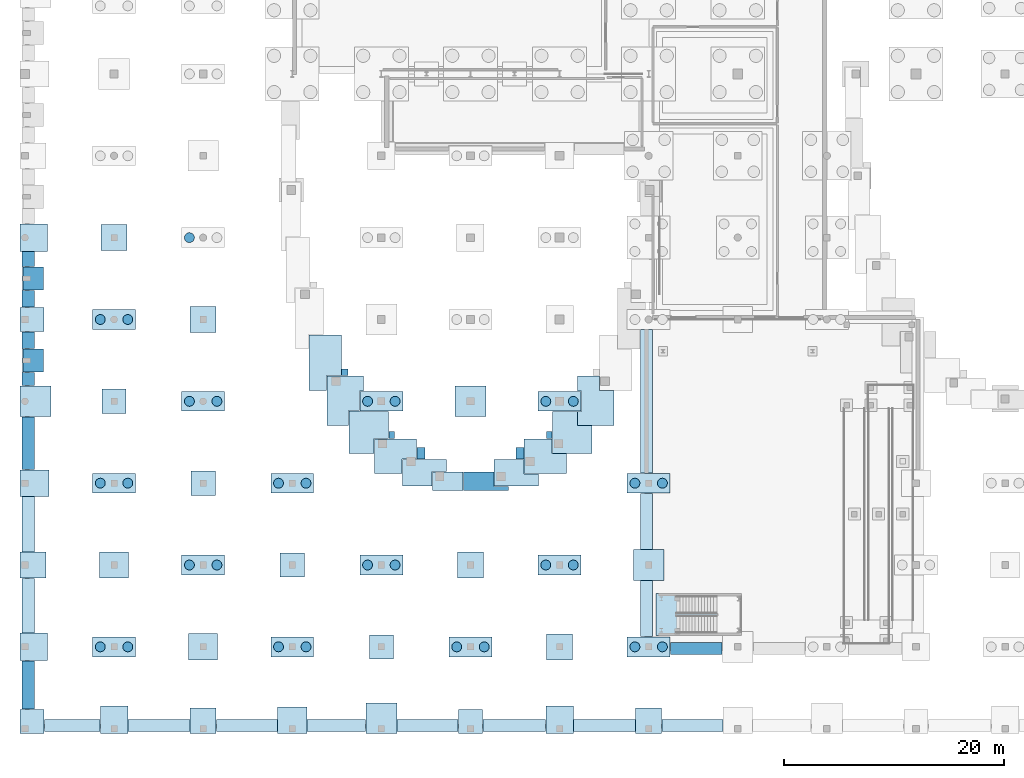
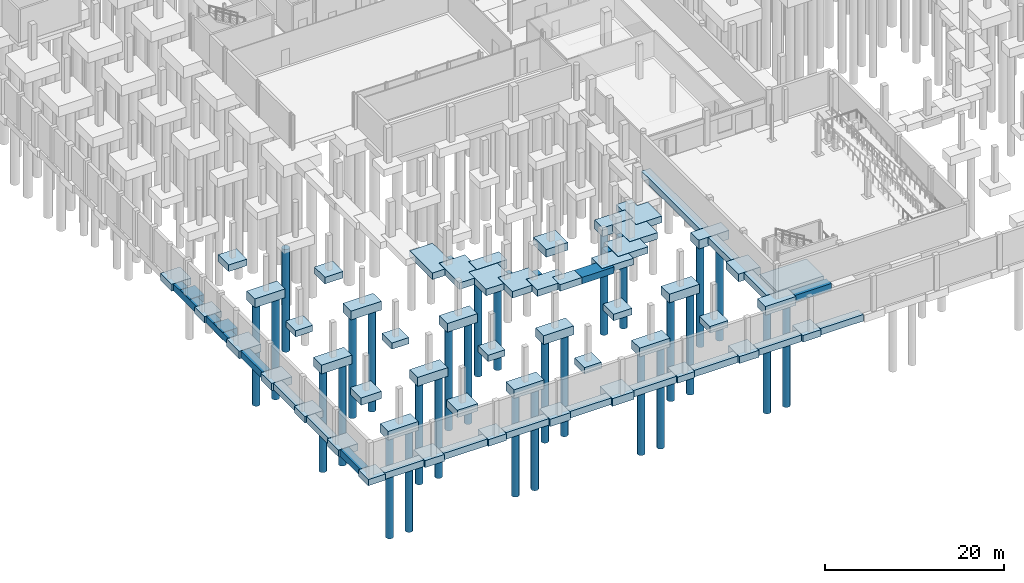
# One storey, part 1 of 37: 77 footings, 29 piles.
"""IFC4 building model written with IfcOpenShell, lengths in metres."""

from ifc_helpers import new_model, si_unit, direction, frame, origin, origin_2d, place, context, subcontext, project, spatial, polyline, rectangle, circle, outline, extrude, material, material_profile, profile_set, type_object, element, save


model = new_model("IFC4")

# Units and contexts
model_context = context("Model", 3, precision=1e-05, world=origin(), true_north=direction((0.0, 1.0)))
body_context = subcontext(model_context, "Body", "Model", "MODEL_VIEW")
ifc_project = project(units=[si_unit("LENGTHUNIT", "METRE"), si_unit("AREAUNIT", "SQUARE_METRE"), si_unit("VOLUMEUNIT", "CUBIC_METRE"), si_unit("PLANEANGLEUNIT", "RADIAN"), si_unit("MASSUNIT", "GRAM", prefix="KILO")], contexts=[model_context])

# Site, building, storey
site_placement = place(None, origin())
site = spatial("IfcSite", under=ifc_project, at=site_placement, CompositionType="ELEMENT")
building_placement = place(site_placement, origin())
building = spatial("IfcBuilding", under=site, at=building_placement, Name="Kaelora Sail Theatre", CompositionType="ELEMENT")
storey_placement = place(building_placement, frame((0.0, 0.0, -4.800048828125)))
storey = spatial("IfcBuildingStorey", under=building, at=storey_placement, Name="B1", CompositionType="ELEMENT", Elevation=-4.800048828125)

# Footings
ifc_material_1 = material(Name="Concrete C40/50", Category="concrete")
footing_type_1 = type_object("IfcFootingType", Name="STR-FTG-PC-2P", PredefinedType="PILE_CAP", material=ifc_material_1)
for number, where, z_axis, x_axis, name in (
    (1, (9.60009765625, 8.93994140625, -1.19970703125), (0.0, 0.0, 1.0), (1.0, 0.0, 0.0), "Foundation 2/B"),
    (2, (9.60009765625, 23.820068359375, -1.19970703125), (0.0, 0.0, 1.0), (1.0, 0.0, 0.0), "Foundation 2/D"),
    (3, (9.60009765625, 38.699951171875, -1.19970703125), (0.0, 0.0, 1.0), (1.0, 0.0, 0.0), "Foundation 2/F"),
    (4, (17.699951171875, 16.3798828125, -1.19970703125), (0.0, 0.0, 1.0), (1.0, 0.0, 0.0), "Foundation 3/C"),
    (5, (17.699951171875, 31.260009765625, -1.19970703125), (0.0, 0.0, 1.0), (1.0, 0.0, 0.0), "Foundation 3/E"),
    (6, (25.800048828125, 8.93994140625, -1.19970703125), (0.0, 0.0, 1.0), (1.0, 0.0, 0.0), "Foundation 4/B"),
    (7, (25.800048828125, 23.820068359375, -1.19970703125), (0.0, 0.0, 1.0), (1.0, 0.0, 0.0), "Foundation 4/D"),
    (8, (33.89990234375, 16.3798828125, -1.19970703125), (0.0, 0.0, 1.0), (1.0, 0.0, 0.0), "Foundation 5/C"),
    (9, (33.89990234375, 31.260009765625, -1.19970703125), (0.0, 0.0, 1.0), (1.0, 0.0, 0.0), "Foundation 5/E"),
    (10, (42.0, 8.93994140625, -1.19970703125), (0.0, 0.0, 1.0), (1.0, 0.0, 0.0), "Foundation 6/B"),
    (11, (50.10009765625, 16.3798828125, -1.19970703125), (0.0, 0.0, 1.0), (1.0, 0.0, 0.0), "Foundation 7/C"),
    (12, (50.10009765625, 31.260009765625, -1.19970703125), (0.0, 0.0, 1.0), (1.0, 0.0, 0.0), "Foundation 7/E"),
    (13, (58.199951171875, 8.93994140625, -1.19970703125), (0.0, 0.0, 1.0), (1.0, 0.0, 0.0), "Foundation 8/B"),
    (14, (58.199951171875, 23.820068359375, -1.19970703125), (0.0, 0.0, 1.0), (1.0, 0.0, 0.0), "Foundation 8/D"),
):
    element("IfcFooting", number, at=place(storey_placement, frame(where, z_axis=z_axis, x_axis=x_axis)), inside=storey, type_object=footing_type_1, Name=name, PredefinedType="PILE_CAP", context=body_context, shape_type="SweptSolid", body=[
        extrude(rectangle(XDim=3.89990234375, YDim=1.800048828125, at=origin_2d()), origin(), (0.0, 0.0, 1.0), 1.199951171875),
    ])
ifc_material_2 = material(Name="Concrete C40/50", Category="concrete")
footing_type_2 = type_object("IfcFootingType", Name="STR-FTG-PF-1A", PredefinedType="PAD_FOOTING", material=ifc_material_2)
for number, where, z_axis, x_axis, name in (
    (15, (2.14990234375, 2.14990234375, -0.85009765625), (0.0, 0.0, 1.0), (1.0, 0.0, 0.0), "Foundation 1/A"),
    (16, (2.14990234375, 38.699951171875, -0.85009765625), (0.0, 0.0, 1.0), (1.0, 0.0, 0.0), "Foundation 1/F"),
    (17, (9.60009765625, 31.260009765625, -0.85009765625), (0.0, 0.0, 1.0), (1.0, 0.0, 0.0), "Foundation 2/E"),
    (18, (17.699951171875, 23.820068359375, -0.85009765625), (0.0, 0.0, 1.0), (1.0, 0.0, 0.0), "Foundation 3/D"),
    (19, (25.800048828125, 16.3798828125, -0.85009765625), (0.0, 0.0, 1.0), (1.0, 0.0, 0.0), "Foundation 4/C"),
    (20, (33.89990234375, 8.93994140625, -0.85009765625), (0.0, 0.0, 1.0), (1.0, 0.0, 0.0), "Foundation 5/B"),
    (21, (42.0, 2.14990234375, -0.85009765625), (0.0, 0.0, 1.0), (1.0, 0.0, 0.0), "Foundation 6/A"),
):
    element("IfcFooting", number, at=place(storey_placement, frame(where, z_axis=z_axis, x_axis=x_axis)), inside=storey, type_object=footing_type_2, Name=name, PredefinedType="PAD_FOOTING", context=body_context, shape_type="SweptSolid", body=[
        extrude(rectangle(XDim=2.199951171875, YDim=2.199951171875, at=origin_2d()), origin(), (0.0, 0.0, 1.0), 0.85009765625),
    ])
footing_1_placement = place(storey_placement, frame((0.0, 0.0, -0.849853515625)))
element("IfcFooting", 22, at=footing_1_placement, inside=storey, type_object=footing_type_2, Name="Main drum pier pad MK08", PredefinedType="PAD_FOOTING", context=body_context, shape_type="SweptSolid", body=[
    extrude(outline(polyline([(49.41015625, 28.503173828125), (49.41015625, 27.86181640625), (48.8974609375, 27.86181640625), (48.8974609375, 28.503173828125), (49.41015625, 28.503173828125)])), origin(), (0.0, 0.0, 1.0), 0.849853515625),
])
footing_2_placement = place(storey_placement, frame((0.0, 0.0, -0.849853515625)))
element("IfcFooting", 23, at=footing_2_placement, inside=storey, type_object=footing_type_2, Name="Main drum pier pad MK14", PredefinedType="PAD_FOOTING", context=body_context, shape_type="SweptSolid", body=[
    extrude(outline(polyline([(35.1025390625, 27.86181640625), (34.58984375, 27.86181640625), (34.58984375, 28.503173828125), (35.1025390625, 28.503173828125), (35.1025390625, 27.86181640625)])), origin(), (0.0, 0.0, 1.0), 0.849853515625),
])
footing_3_placement = place(storey_placement, frame((0.0, 0.0, -0.849853515625)))
element("IfcFooting", 24, at=footing_3_placement, inside=storey, type_object=footing_type_2, Name="Main drum pier pad MK16", PredefinedType="PAD_FOOTING", context=body_context, shape_type="SweptSolid", body=[
    extrude(outline(polyline([(30.28955078125, 34.18359375), (30.871337890625, 34.18359375), (30.871337890625, 33.586181640625), (30.28955078125, 33.586181640625), (30.28955078125, 34.18359375)])), origin(), (0.0, 0.0, 1.0), 0.849853515625),
])
ifc_material_3 = material(Name="Concrete C40/50", Category="concrete")
footing_type_3 = type_object("IfcFootingType", Name="STR-FTG-PF-1B", PredefinedType="PAD_FOOTING", material=ifc_material_3)
for number, where, z_axis, x_axis, name in (
    (25, (2.300048828125, 8.93994140625, -0.94970703125), (0.0, 0.0, 1.0), (1.0, 0.0, 0.0), "Foundation 1/B"),
    (26, (2.300048828125, 46.139892578125, -0.94970703125), (0.0, 0.0, 1.0), (1.0, 0.0, 0.0), "Foundation 1/G"),
    (27, (9.60009765625, 2.300048828125, -0.94970703125), (0.0, 0.0, 1.0), (1.0, 0.0, 0.0), "Foundation 2/A"),
    (28, (50.10009765625, 2.300048828125, -0.94970703125), (0.0, 0.0, 1.0), (1.0, 0.0, 0.0), "Foundation 7/A"),
):
    element("IfcFooting", number, at=place(storey_placement, frame(where, z_axis=z_axis, x_axis=x_axis)), inside=storey, type_object=footing_type_3, Name=name, PredefinedType="PAD_FOOTING", context=body_context, shape_type="SweptSolid", body=[
        extrude(rectangle(XDim=2.5, YDim=2.5, at=origin_2d()), origin(), (0.0, 0.0, 1.0), 0.949951171875),
    ])
footing_4_placement = place(storey_placement, frame((0.0, 0.0, -0.949951171875)))
element("IfcFooting", 29, at=footing_4_placement, inside=storey, type_object=footing_type_3, Name="Main shell prow fulcrum pad W", PredefinedType="PAD_FOOTING", context=body_context, shape_type="SweptSolid", body=[
    extrude(outline(polyline([(37.142822265625, 26.0068359375), (37.142822265625, 27.050048828125), (37.85009765625, 27.050048828125), (37.85009765625, 26.0068359375), (37.142822265625, 26.0068359375)])), origin(), (0.0, 0.0, 1.0), 0.949951171875),
])
footing_5_placement = place(storey_placement, frame((0.0, 0.0, -0.949951171875)))
element("IfcFooting", 30, at=footing_5_placement, inside=storey, type_object=footing_type_3, Name="Main shell prow fulcrum pad E", PredefinedType="PAD_FOOTING", context=body_context, shape_type="SweptSolid", body=[
    extrude(outline(polyline([(46.14990234375, 27.050048828125), (46.857177734375, 27.050048828125), (46.857177734375, 26.0068359375), (46.14990234375, 26.0068359375), (46.14990234375, 27.050048828125)])), origin(), (0.0, 0.0, 1.0), 0.949951171875),
])
ifc_material_4 = material(Name="Concrete C40/50", Category="concrete")
footing_type_4 = type_object("IfcFootingType", Name="STR-FTG-PF-1C", PredefinedType="PAD_FOOTING", material=ifc_material_4)
for number, where, z_axis, x_axis, name in (
    (31, (2.25, 34.97998046875, -1.0), (0.0, 0.0, 1.0), (1.0, 0.0, 0.0), "W colonnade pilaster footing 04"),
    (32, (2.25, 42.419921875, -1.0), (0.0, 0.0, 1.0), (1.0, 0.0, 0.0), "W colonnade pilaster footing 05"),
):
    element("IfcFooting", number, at=place(storey_placement, frame(where, z_axis=z_axis, x_axis=x_axis)), inside=storey, type_object=footing_type_4, Name=name, PredefinedType="PAD_FOOTING", context=body_context, shape_type="SweptSolid", body=[
        extrude(rectangle(XDim=1.89990234375, YDim=2.10009765625, at=origin_2d()), origin(), (0.0, 0.0, 1.0), 1.0),
    ])
ifc_material_5 = material(Name="Concrete C40/50", Category="concrete")
footing_type_5 = type_object("IfcFootingType", Name="STR-FTG-PF-1D", PredefinedType="PAD_FOOTING", material=ifc_material_5)
for number, where, z_axis, x_axis, name in (
    (33, (2.22509765625, 16.3798828125, -0.89990234375), (0.0, 0.0, 1.0), (1.0, 0.0, 0.0), "Foundation 1/C"),
    (34, (9.60009765625, 46.139892578125, -0.89990234375), (0.0, 0.0, 1.0), (1.0, 0.0, 0.0), "Foundation 2/G"),
    (35, (17.699951171875, 2.22509765625, -0.89990234375), (0.0, 0.0, 1.0), (1.0, 0.0, 0.0), "Foundation 3/A"),
    (36, (17.699951171875, 38.699951171875, -0.89990234375), (0.0, 0.0, 1.0), (1.0, 0.0, 0.0), "Foundation 3/F"),
    (37, (42.0, 16.3798828125, -0.89990234375), (0.0, 0.0, 1.0), (1.0, 0.0, 0.0), "Foundation 6/C"),
    (38, (50.10009765625, 8.93994140625, -0.89990234375), (0.0, 0.0, 1.0), (1.0, 0.0, 0.0), "Foundation 7/B"),
    (39, (58.199951171875, 2.22509765625, -0.89990234375), (0.0, 0.0, 1.0), (1.0, 0.0, 0.0), "Foundation 8/A"),
):
    element("IfcFooting", number, at=place(storey_placement, frame(where, z_axis=z_axis, x_axis=x_axis)), inside=storey, type_object=footing_type_5, Name=name, PredefinedType="PAD_FOOTING", context=body_context, shape_type="SweptSolid", body=[
        extrude(rectangle(XDim=2.35009765625, YDim=2.35009765625, at=origin_2d()), origin(), (0.0, 0.0, 1.0), 0.89990234375),
    ])
ifc_material_6 = material(Name="Concrete C40/50", Category="concrete")
footing_type_6 = type_object("IfcFootingType", Name="STR-FTG-PF-1E", PredefinedType="PAD_FOOTING", material=ifc_material_6)
for number, where, z_axis, x_axis, name in (
    (40, (2.375, 23.820068359375, -1.0), (0.0, 0.0, 1.0), (1.0, 0.0, 0.0), "Foundation 1/D"),
    (41, (9.60009765625, 16.3798828125, -1.0), (0.0, 0.0, 1.0), (1.0, 0.0, 0.0), "Foundation 2/C"),
    (42, (17.699951171875, 8.93994140625, -1.0), (0.0, 0.0, 1.0), (1.0, 0.0, 0.0), "Foundation 3/B"),
    (43, (25.800048828125, 2.25, -1.0), (0.0, 0.0, 1.0), (1.0, 0.0, 0.0), "Foundation 4/A"),
):
    element("IfcFooting", number, at=place(storey_placement, frame(where, z_axis=z_axis, x_axis=x_axis)), inside=storey, type_object=footing_type_6, Name=name, PredefinedType="PAD_FOOTING", context=body_context, shape_type="SweptSolid", body=[
        extrude(rectangle(XDim=2.64990234375, YDim=2.39990234375, at=origin_2d()), origin(), (0.0, 0.0, 1.0), 1.0),
    ])
ifc_material_7 = material(Name="Concrete C40/50", Category="concrete")
footing_type_7 = type_object("IfcFootingType", Name="STR-FTG-PF-1F", PredefinedType="PAD_FOOTING", material=ifc_material_7)
for number, where, z_axis, x_axis, name in (
    (44, (2.449951171875, 31.260009765625, -1.0498046875), (0.0, 0.0, 1.0), (1.0, 0.0, 0.0), "Foundation 1/E"),
    (45, (33.89990234375, 2.449951171875, -1.0498046875), (0.0, 0.0, 1.0), (1.0, 0.0, 0.0), "Foundation 5/A"),
    (46, (42.0, 31.260009765625, -1.0498046875), (0.0, 0.0, 1.0), (1.0, 0.0, 0.0), "Foundation 6/E"),
    (47, (58.199951171875, 16.3798828125, -1.0498046875), (0.0, 0.0, 1.0), (1.0, 0.0, 0.0), "Foundation 8/C"),
):
    element("IfcFooting", number, at=place(storey_placement, frame(where, z_axis=z_axis, x_axis=x_axis)), inside=storey, type_object=footing_type_7, Name=name, PredefinedType="PAD_FOOTING", context=body_context, shape_type="SweptSolid", body=[
        extrude(rectangle(XDim=2.800048828125, YDim=2.800048828125, at=origin_2d()), origin(), (0.0, 0.0, 1.0), 1.050048828125),
    ])
ifc_material_8 = material(Name="Concrete C40/50", Category="concrete")
footing_type_8 = type_object("IfcFootingType", Name="STR-FTG-PF-CORE1", PredefinedType="PAD_FOOTING", material=ifc_material_8)
footing_6_placement = place(storey_placement, frame((0.0, 0.0, -1.099853515625)))
element("IfcFooting", 48, at=footing_6_placement, inside=storey, type_object=footing_type_8, Name="Stair core foundation pad ST-PLZ", PredefinedType="PAD_FOOTING", context=body_context, shape_type="SweptSolid", body=[
    extrude(outline(polyline([(58.85009765625, 9.949951171875), (64.8701171875, 9.949951171875), (64.8701171875, 13.800048828125), (58.85009765625, 13.800048828125), (58.85009765625, 9.949951171875)])), origin(), (0.0, 0.0, 1.0), 1.099853515625),
])
ifc_material_9 = material(Name="Concrete C40/50", Category="concrete")
footing_type_9 = type_object("IfcFootingType", Name="STR-GB-SF-DRM", PredefinedType="STRIP_FOOTING", material=ifc_material_9)
footing_7_placement = place(storey_placement, frame((0.0, 0.0, -0.89990234375)))
element("IfcFooting", 49, at=footing_7_placement, inside=storey, type_object=footing_type_9, Name="Perimeter plinth strip footing SF-PL-SW", PredefinedType="STRIP_FOOTING", context=body_context, shape_type="SweptSolid", body=[
    extrude(outline(polyline([(8.320068359375, 1.25), (3.280029296875, 1.25), (3.280029296875, 2.35009765625), (8.320068359375, 2.35009765625), (8.320068359375, 1.25)])), origin(), (0.0, 0.0, 1.0), 0.89990234375),
])
footing_8_placement = place(storey_placement, frame((0.0, 0.0, -0.89990234375)))
element("IfcFooting", 50, at=footing_8_placement, inside=storey, type_object=footing_type_9, Name="Perimeter plinth strip footing SF-PL-SW", PredefinedType="STRIP_FOOTING", context=body_context, shape_type="SweptSolid", body=[
    extrude(outline(polyline([(16.4951171875, 1.25), (10.8798828125, 1.25), (10.8798828125, 2.35009765625), (16.4951171875, 2.35009765625), (16.4951171875, 1.25)])), origin(), (0.0, 0.0, 1.0), 0.89990234375),
])
footing_9_placement = place(storey_placement, frame((0.0, 0.0, -0.89990234375)))
element("IfcFooting", 51, at=footing_9_placement, inside=storey, type_object=footing_type_9, Name="Perimeter plinth strip footing SF-PL-SW", PredefinedType="STRIP_FOOTING", context=body_context, shape_type="SweptSolid", body=[
    extrude(outline(polyline([(24.445068359375, 1.25), (18.905029296875, 1.25), (18.905029296875, 2.35009765625), (24.445068359375, 2.35009765625), (24.445068359375, 1.25)])), origin(), (0.0, 0.0, 1.0), 0.89990234375),
])
footing_10_placement = place(storey_placement, frame((0.0, 0.0, -0.89990234375)))
element("IfcFooting", 52, at=footing_10_placement, inside=storey, type_object=footing_type_9, Name="Perimeter plinth strip footing SF-PL-SW", PredefinedType="STRIP_FOOTING", context=body_context, shape_type="SweptSolid", body=[
    extrude(outline(polyline([(32.469970703125, 1.25), (27.155029296875, 1.25), (27.155029296875, 2.35009765625), (32.469970703125, 2.35009765625), (32.469970703125, 1.25)])), origin(), (0.0, 0.0, 1.0), 0.89990234375),
])
footing_11_placement = place(storey_placement, frame((0.0, 0.0, -0.89990234375)))
element("IfcFooting", 53, at=footing_11_placement, inside=storey, type_object=footing_type_9, Name="Perimeter plinth strip footing SF-PL-SW", PredefinedType="STRIP_FOOTING", context=body_context, shape_type="SweptSolid", body=[
    extrude(outline(polyline([(56.9951171875, 1.25), (51.3798828125, 1.25), (51.3798828125, 2.35009765625), (56.9951171875, 2.35009765625), (56.9951171875, 1.25)])), origin(), (0.0, 0.0, 1.0), 0.89990234375),
])
footing_12_placement = place(storey_placement, frame((0.0, 0.0, -0.89990234375)))
element("IfcFooting", 54, at=footing_12_placement, inside=storey, type_object=footing_type_9, Name="Perimeter plinth strip footing SF-PL-SW", PredefinedType="STRIP_FOOTING", context=body_context, shape_type="SweptSolid", body=[
    extrude(outline(polyline([(48.820068359375, 1.25), (43.1298828125, 1.25), (43.1298828125, 2.35009765625), (48.820068359375, 2.35009765625), (48.820068359375, 1.25)])), origin(), (0.0, 0.0, 1.0), 0.89990234375),
])
footing_13_placement = place(storey_placement, frame((0.0, 0.0, -0.89990234375)))
element("IfcFooting", 55, at=footing_13_placement, inside=storey, type_object=footing_type_9, Name="Perimeter plinth strip footing SF-PL-SW", PredefinedType="STRIP_FOOTING", context=body_context, shape_type="SweptSolid", body=[
    extrude(outline(polyline([(35.330078125, 1.25), (35.330078125, 2.35009765625), (40.8701171875, 2.35009765625), (40.8701171875, 1.25), (35.330078125, 1.25)])), origin(), (0.0, 0.0, 1.0), 0.89990234375),
])
footing_14_placement = place(storey_placement, frame((0.0, 0.0, -0.89990234375)))
element("IfcFooting", 56, at=footing_14_placement, inside=storey, type_object=footing_type_9, Name="Perimeter plinth strip footing SF-PL-SC", PredefinedType="STRIP_FOOTING", context=body_context, shape_type="SweptSolid", body=[
    extrude(outline(polyline([(59.405029296875, 1.25), (59.405029296875, 2.35009765625), (64.945068359375, 2.35009765625), (64.945068359375, 1.25), (59.405029296875, 1.25)])), origin(), (0.0, 0.0, 1.0), 0.89990234375),
])
footing_15_placement = place(storey_placement, frame((0.0, 0.0, -0.89990234375)))
element("IfcFooting", 57, at=footing_15_placement, inside=storey, type_object=footing_type_9, Name="Perimeter plinth strip footing SF-PL-W", PredefinedType="STRIP_FOOTING", context=body_context, shape_type="SweptSolid", body=[
    extrude(outline(polyline([(2.35009765625, 22.590087890625), (2.35009765625, 17.5849609375), (1.25, 17.5849609375), (1.25, 22.590087890625), (2.35009765625, 22.590087890625)])), origin(), (0.0, 0.0, 1.0), 0.89990234375),
])
footing_16_placement = place(storey_placement, frame((0.0, 0.0, -0.89990234375)))
element("IfcFooting", 58, at=footing_16_placement, inside=storey, type_object=footing_type_9, Name="Perimeter plinth strip footing SF-PL-W", PredefinedType="STRIP_FOOTING", context=body_context, shape_type="SweptSolid", body=[
    extrude(outline(polyline([(2.35009765625, 39.830078125), (1.25, 39.830078125), (1.25, 44.860107421875), (2.35009765625, 44.860107421875), (2.35009765625, 43.5), (1.27001953125, 43.5), (1.27001953125, 41.340087890625), (2.35009765625, 41.340087890625), (2.35009765625, 39.830078125)])), origin(), (0.0, 0.0, 1.0), 0.89990234375),
])
footing_17_placement = place(storey_placement, frame((0.0, 0.0, -0.89990234375)))
element("IfcFooting", 59, at=footing_17_placement, inside=storey, type_object=footing_type_9, Name="Perimeter plinth strip footing SF-PL-W", PredefinedType="STRIP_FOOTING", context=body_context, shape_type="SweptSolid", body=[
    extrude(outline(polyline([(2.35009765625, 32.68994140625), (1.25, 32.68994140625), (1.25, 37.570068359375), (2.35009765625, 37.570068359375), (2.35009765625, 36.06005859375), (1.27001953125, 36.06005859375), (1.27001953125, 33.89990234375), (2.35009765625, 33.89990234375), (2.35009765625, 32.68994140625)])), origin(), (0.0, 0.0, 1.0), 0.89990234375),
])
footing_18_placement = place(storey_placement, frame((0.0, 0.0, -0.89990234375)))
element("IfcFooting", 60, at=footing_18_placement, inside=storey, type_object=footing_type_9, Name="Perimeter plinth strip footing SF-PL-W", PredefinedType="STRIP_FOOTING", context=body_context, shape_type="SweptSolid", body=[
    extrude(outline(polyline([(1.25, 25.050048828125), (1.25, 29.830078125), (2.35009765625, 29.830078125), (2.35009765625, 25.050048828125), (1.25, 25.050048828125)])), origin(), (0.0, 0.0, 1.0), 0.89990234375),
])
footing_19_placement = place(storey_placement, frame((0.0, 0.0, -0.89990234375)))
element("IfcFooting", 61, at=footing_19_placement, inside=storey, type_object=footing_type_9, Name="Perimeter plinth strip footing SF-PL-W", PredefinedType="STRIP_FOOTING", context=body_context, shape_type="SweptSolid", body=[
    extrude(outline(polyline([(2.35009765625, 15.175048828125), (2.35009765625, 10.219970703125), (1.25, 10.219970703125), (1.25, 15.175048828125), (2.35009765625, 15.175048828125)])), origin(), (0.0, 0.0, 1.0), 0.89990234375),
])
footing_20_placement = place(storey_placement, frame((0.0, 0.0, -0.89990234375)))
element("IfcFooting", 62, at=footing_20_placement, inside=storey, type_object=footing_type_9, Name="Perimeter plinth strip footing SF-PL-W", PredefinedType="STRIP_FOOTING", context=body_context, shape_type="SweptSolid", body=[
    extrude(outline(polyline([(2.35009765625, 3.280029296875), (1.25, 3.280029296875), (1.25, 7.659912109375), (2.35009765625, 7.659912109375), (2.35009765625, 3.280029296875)])), origin(), (0.0, 0.0, 1.0), 0.89990234375),
])
footing_21_placement = place(storey_placement, frame((0.0, 0.0, -0.89990234375)))
element("IfcFooting", 63, at=footing_21_placement, inside=storey, type_object=footing_type_9, Name="Perimeter plinth strip footing SF-CT-W", PredefinedType="STRIP_FOOTING", context=body_context, shape_type="SweptSolid", body=[
    extrude(outline(polyline([(57.449951171875, 24.75), (57.449951171875, 37.77001953125), (58.550048828125, 37.77001953125), (58.550048828125, 24.75), (57.449951171875, 24.75)])), origin(), (0.0, 0.0, 1.0), 0.89990234375),
])
footing_22_placement = place(storey_placement, frame((0.0, 0.0, -0.89990234375)))
element("IfcFooting", 64, at=footing_22_placement, inside=storey, type_object=footing_type_9, Name="Perimeter plinth strip footing SF-CT-W", PredefinedType="STRIP_FOOTING", context=body_context, shape_type="SweptSolid", body=[
    extrude(outline(polyline([(57.449951171875, 17.81005859375), (57.449951171875, 22.889892578125), (58.550048828125, 22.889892578125), (58.550048828125, 17.81005859375), (57.449951171875, 17.81005859375)])), origin(), (0.0, 0.0, 1.0), 0.89990234375),
])
footing_23_placement = place(storey_placement, frame((0.0, 0.0, -0.89990234375)))
element("IfcFooting", 65, at=footing_23_placement, inside=storey, type_object=footing_type_9, Name="Perimeter plinth strip footing SF-CT-W", PredefinedType="STRIP_FOOTING", context=body_context, shape_type="SweptSolid", body=[
    extrude(outline(polyline([(57.449951171875, 14.949951171875), (58.550048828125, 14.949951171875), (58.550048828125, 9.8701171875), (57.449951171875, 9.8701171875), (57.449951171875, 14.949951171875)])), origin(), (0.0, 0.0, 1.0), 0.89990234375),
])
footing_24_placement = place(storey_placement, frame((0.0, 0.0, -0.89990234375)))
element("IfcFooting", 66, at=footing_24_placement, inside=storey, type_object=footing_type_9, Name="Perimeter plinth strip footing SF-CT-S", PredefinedType="STRIP_FOOTING", context=body_context, shape_type="SweptSolid", body=[
    extrude(outline(polyline([(64.8701171875, 8.25), (60.179931640625, 8.25), (60.179931640625, 9.35009765625), (64.8701171875, 9.35009765625), (64.8701171875, 8.25)])), origin(), (0.0, 0.0, 1.0), 0.89990234375),
])
footing_25_placement = place(storey_placement, frame((0.0, 0.0, -0.89990234375)))
element("IfcFooting", 67, at=footing_25_placement, inside=storey, type_object=footing_type_9, Name="Main Theatre Sail Drum chord strip footing 07", PredefinedType="STRIP_FOOTING", context=body_context, shape_type="SweptSolid", body=[
    extrude(outline(polyline([(53.71044921875, 33.55615234375), (53.71044921875, 32.22607421875), (55.040283203125, 32.22607421875), (55.040283203125, 29.075439453125), (51.74560546875, 29.075439453125), (51.74560546875, 30.330078125), (52.080078125, 30.330078125), (52.080078125, 32.18994140625), (51.74560546875, 32.18994140625), (51.74560546875, 33.55615234375), (53.71044921875, 33.55615234375)])), origin(), (0.0, 0.0, 1.0), 0.89990234375),
])
footing_26_placement = place(storey_placement, frame((0.0, 0.0, -0.89990234375)))
element("IfcFooting", 68, at=footing_26_placement, inside=storey, type_object=footing_type_9, Name="Main Theatre Sail Drum chord strip footing 08", PredefinedType="STRIP_FOOTING", context=body_context, shape_type="SweptSolid", body=[
    extrude(outline(polyline([(53.045654296875, 26.53173828125), (49.440185546875, 26.53173828125), (49.440185546875, 30.330078125), (51.7158203125, 30.330078125), (51.7158203125, 29.04541015625), (53.045654296875, 29.04541015625), (53.045654296875, 26.53173828125)])), origin(), (0.0, 0.0, 1.0), 0.89990234375),
])
footing_27_placement = place(storey_placement, frame((0.0, 0.0, -0.89990234375)))
element("IfcFooting", 69, at=footing_27_placement, inside=storey, type_object=footing_type_9, Name="Main Theatre Sail Drum chord strip footing 09", PredefinedType="STRIP_FOOTING", context=body_context, shape_type="SweptSolid", body=[
    extrude(outline(polyline([(46.88720703125, 24.677001953125), (46.88720703125, 27.831787109375), (49.41015625, 27.831787109375), (49.41015625, 26.501708984375), (50.739990234375, 26.501708984375), (50.739990234375, 24.677001953125), (46.88720703125, 24.677001953125)])), origin(), (0.0, 0.0, 1.0), 0.89990234375),
])
footing_28_placement = place(storey_placement, frame((0.0, 0.0, -0.89990234375)))
element("IfcFooting", 70, at=footing_28_placement, inside=storey, type_object=footing_type_9, Name="Main Theatre Sail Drum chord strip footing 10", PredefinedType="STRIP_FOOTING", context=body_context, shape_type="SweptSolid", body=[
    extrude(outline(polyline([(44.16259765625, 25.976806640625), (46.857177734375, 25.976806640625), (46.857177734375, 24.64697265625), (48.187255859375, 24.64697265625), (48.187255859375, 23.548583984375), (44.16259765625, 23.548583984375), (44.16259765625, 25.976806640625)])), origin(), (0.0, 0.0, 1.0), 0.89990234375),
])
footing_29_placement = place(storey_placement, frame((0.0, 0.0, -0.89990234375)))
element("IfcFooting", 71, at=footing_29_placement, inside=storey, type_object=footing_type_9, Name="Main Theatre Sail Drum chord strip footing 11", PredefinedType="STRIP_FOOTING", context=body_context, shape_type="SweptSolid", body=[
    extrude(outline(polyline([(44.132568359375, 24.8486328125), (44.132568359375, 23.5185546875), (45.462646484375, 23.5185546875), (45.462646484375, 23.169921875), (41.35009765625, 23.169921875), (41.35009765625, 24.8486328125), (44.132568359375, 24.8486328125)])), origin(), (0.0, 0.0, 1.0), 0.89990234375),
])
footing_30_placement = place(storey_placement, frame((0.0, 0.0, -0.89990234375)))
element("IfcFooting", 72, at=footing_30_placement, inside=storey, type_object=footing_type_9, Name="Main Theatre Sail Drum chord strip footing 12", PredefinedType="STRIP_FOOTING", context=body_context, shape_type="SweptSolid", body=[
    extrude(outline(polyline([(38.537353515625, 23.169921875), (38.537353515625, 24.8486328125), (41.320068359375, 24.8486328125), (41.320068359375, 23.169921875), (38.537353515625, 23.169921875)])), origin(), (0.0, 0.0, 1.0), 0.89990234375),
])
footing_31_placement = place(storey_placement, frame((0.0, 0.0, -0.89990234375)))
element("IfcFooting", 73, at=footing_31_placement, inside=storey, type_object=footing_type_9, Name="Main Theatre Sail Drum chord strip footing 13", PredefinedType="STRIP_FOOTING", context=body_context, shape_type="SweptSolid", body=[
    extrude(outline(polyline([(35.812744140625, 23.548583984375), (35.812744140625, 25.976806640625), (39.83740234375, 25.976806640625), (39.83740234375, 24.878662109375), (38.50732421875, 24.878662109375), (38.50732421875, 23.548583984375), (35.812744140625, 23.548583984375)])), origin(), (0.0, 0.0, 1.0), 0.89990234375),
])
footing_32_placement = place(storey_placement, frame((0.0, 0.0, -0.89990234375)))
element("IfcFooting", 74, at=footing_32_placement, inside=storey, type_object=footing_type_9, Name="Main Theatre Sail Drum chord strip footing 14", PredefinedType="STRIP_FOOTING", context=body_context, shape_type="SweptSolid", body=[
    extrude(outline(polyline([(33.260009765625, 27.831787109375), (37.11279296875, 27.831787109375), (37.11279296875, 26.0068359375), (35.78271484375, 26.0068359375), (35.78271484375, 24.677001953125), (33.260009765625, 24.677001953125), (33.260009765625, 27.831787109375)])), origin(), (0.0, 0.0, 1.0), 0.89990234375),
])
footing_33_placement = place(storey_placement, frame((0.0, 0.0, -0.89990234375)))
element("IfcFooting", 75, at=footing_33_placement, inside=storey, type_object=footing_type_9, Name="Main Theatre Sail Drum chord strip footing 15", PredefinedType="STRIP_FOOTING", context=body_context, shape_type="SweptSolid", body=[
    extrude(outline(polyline([(34.559814453125, 30.330078125), (34.559814453125, 27.86181640625), (33.22998046875, 27.86181640625), (33.22998046875, 26.53173828125), (30.954345703125, 26.53173828125), (30.954345703125, 30.37548828125), (31.919921875, 30.37548828125), (31.919921875, 30.330078125), (34.559814453125, 30.330078125)])), origin(), (0.0, 0.0, 1.0), 0.89990234375),
])
footing_34_placement = place(storey_placement, frame((0.0, 0.0, -0.89990234375)))
element("IfcFooting", 76, at=footing_34_placement, inside=storey, type_object=footing_type_9, Name="Main Theatre Sail Drum chord strip footing 16", PredefinedType="STRIP_FOOTING", context=body_context, shape_type="SweptSolid", body=[
    extrude(outline(polyline([(32.25439453125, 32.18994140625), (31.919921875, 32.18994140625), (31.919921875, 30.405517578125), (30.92431640625, 30.405517578125), (30.92431640625, 29.075439453125), (28.959716796875, 29.075439453125), (28.959716796875, 33.55615234375), (32.25439453125, 33.55615234375), (32.25439453125, 32.18994140625)])), origin(), (0.0, 0.0, 1.0), 0.89990234375),
])
footing_35_placement = place(storey_placement, frame((0.0, 0.0, -0.89990234375)))
element("IfcFooting", 77, at=footing_35_placement, inside=storey, type_object=footing_type_9, Name="Main Theatre Sail Drum chord strip footing 17", PredefinedType="STRIP_FOOTING", context=body_context, shape_type="SweptSolid", body=[
    extrude(outline(polyline([(27.3251953125, 32.256103515625), (27.3251953125, 37.30908203125), (30.259521484375, 37.30908203125), (30.259521484375, 33.586181640625), (28.9296875, 33.586181640625), (28.9296875, 32.256103515625), (27.3251953125, 32.256103515625)])), origin(), (0.0, 0.0, 1.0), 0.89990234375),
])

# Piles
ifc_material_10 = material(Name="Concrete C40/50", Category="concrete")
ifc_material_profile = material_profile(ifc_material_10, circle(Radius=0.449951171875, at=origin_2d()), Name="PILE D900")
ifc_profile_set = profile_set([ifc_material_profile], Name="Concrete C40/50")
pile_type = type_object("IfcPileType", Name="STR-PILE-PL-900", PredefinedType="BORED", material=ifc_profile_set)
for number, where, z_axis, x_axis, name in (
    (78, (8.35009765625, 8.93994140625, -1.099853515625), (0.0, 0.0, -1.0), (1.0, 0.0, 0.0), "Bored pile 2/B P1"),
    (79, (10.85009765625, 8.93994140625, -1.099853515625), (0.0, 0.0, -1.0), (1.0, 0.0, 0.0), "Bored pile 2/B P2"),
    (80, (8.35009765625, 23.820068359375, -1.099853515625), (0.0, 0.0, -1.0), (1.0, 0.0, 0.0), "Bored pile 2/D P1"),
    (81, (10.85009765625, 23.820068359375, -1.099853515625), (0.0, 0.0, -1.0), (1.0, 0.0, 0.0), "Bored pile 2/D P2"),
    (82, (8.35009765625, 38.699951171875, -1.099853515625), (0.0, 0.0, -1.0), (1.0, 0.0, 0.0), "Bored pile 2/F P1"),
    (83, (10.85009765625, 38.699951171875, -1.099853515625), (0.0, 0.0, -1.0), (1.0, 0.0, 0.0), "Bored pile 2/F P2"),
    (84, (16.449951171875, 16.3798828125, -1.099853515625), (0.0, 0.0, -1.0), (1.0, 0.0, 0.0), "Bored pile 3/C P1"),
    (85, (18.949951171875, 16.3798828125, -1.099853515625), (0.0, 0.0, -1.0), (1.0, 0.0, 0.0), "Bored pile 3/C P2"),
    (86, (16.449951171875, 31.260009765625, -1.099853515625), (0.0, 0.0, -1.0), (1.0, 0.0, 0.0), "Bored pile 3/E P1"),
    (87, (18.949951171875, 31.260009765625, -1.099853515625), (0.0, 0.0, -1.0), (1.0, 0.0, 0.0), "Bored pile 3/E P2"),
    (88, (16.449951171875, 46.139892578125, -1.099853515625), (0.0, 0.0, -1.0), (1.0, 0.0, 0.0), "Bored pile 3/G P1"),
    (89, (24.550048828125, 8.93994140625, -1.099853515625), (0.0, 0.0, -1.0), (1.0, 0.0, 0.0), "Bored pile 4/B P1"),
    (90, (27.050048828125, 8.93994140625, -1.099853515625), (0.0, 0.0, -1.0), (1.0, 0.0, 0.0), "Bored pile 4/B P2"),
    (91, (24.550048828125, 23.820068359375, -1.099853515625), (0.0, 0.0, -1.0), (1.0, 0.0, 0.0), "Bored pile 4/D P1"),
    (92, (27.050048828125, 23.820068359375, -1.099853515625), (0.0, 0.0, -1.0), (1.0, 0.0, 0.0), "Bored pile 4/D P2"),
    (93, (32.64990234375, 16.3798828125, -1.099853515625), (0.0, 0.0, -1.0), (1.0, 0.0, 0.0), "Bored pile 5/C P1"),
    (94, (35.14990234375, 16.3798828125, -1.099853515625), (0.0, 0.0, -1.0), (1.0, 0.0, 0.0), "Bored pile 5/C P2"),
    (95, (32.64990234375, 31.260009765625, -1.099853515625), (0.0, 0.0, -1.0), (1.0, 0.0, 0.0), "Bored pile 5/E P1"),
    (96, (35.14990234375, 31.260009765625, -1.099853515625), (0.0, 0.0, -1.0), (1.0, 0.0, 0.0), "Bored pile 5/E P2"),
    (97, (40.75, 8.93994140625, -1.099853515625), (0.0, 0.0, -1.0), (1.0, 0.0, 0.0), "Bored pile 6/B P1"),
    (98, (43.25, 8.93994140625, -1.099853515625), (0.0, 0.0, -1.0), (1.0, 0.0, 0.0), "Bored pile 6/B P2"),
    (99, (48.85009765625, 16.3798828125, -1.099853515625), (0.0, 0.0, -1.0), (1.0, 0.0, 0.0), "Bored pile 7/C P1"),
    (100, (51.35009765625, 16.3798828125, -1.099853515625), (0.0, 0.0, -1.0), (1.0, 0.0, 0.0), "Bored pile 7/C P2"),
    (101, (48.85009765625, 31.260009765625, -1.099853515625), (0.0, 0.0, -1.0), (1.0, 0.0, 0.0), "Bored pile 7/E P1"),
    (102, (51.35009765625, 31.260009765625, -1.099853515625), (0.0, 0.0, -1.0), (1.0, 0.0, 0.0), "Bored pile 7/E P2"),
    (103, (56.949951171875, 8.93994140625, -1.099853515625), (0.0, 0.0, -1.0), (1.0, 0.0, 0.0), "Bored pile 8/B P1"),
    (104, (59.449951171875, 8.93994140625, -1.099853515625), (0.0, 0.0, -1.0), (1.0, 0.0, 0.0), "Bored pile 8/B P2"),
    (105, (56.949951171875, 23.820068359375, -1.099853515625), (0.0, 0.0, -1.0), (1.0, 0.0, 0.0), "Bored pile 8/D P1"),
    (106, (59.449951171875, 23.820068359375, -1.099853515625), (0.0, 0.0, -1.0), (1.0, 0.0, 0.0), "Bored pile 8/D P2"),
):
    element("IfcPile", number, at=place(storey_placement, frame(where, z_axis=z_axis, x_axis=x_axis)), inside=storey, type_object=pile_type, Name=name, PredefinedType="BORED", context=body_context, shape_type="SweptSolid", body=[
        extrude(circle(Radius=0.449951171875, at=origin_2d()), origin(), (0.0, 0.0, 1.0), 14.0),
    ])

save(model, "model.ifc")
